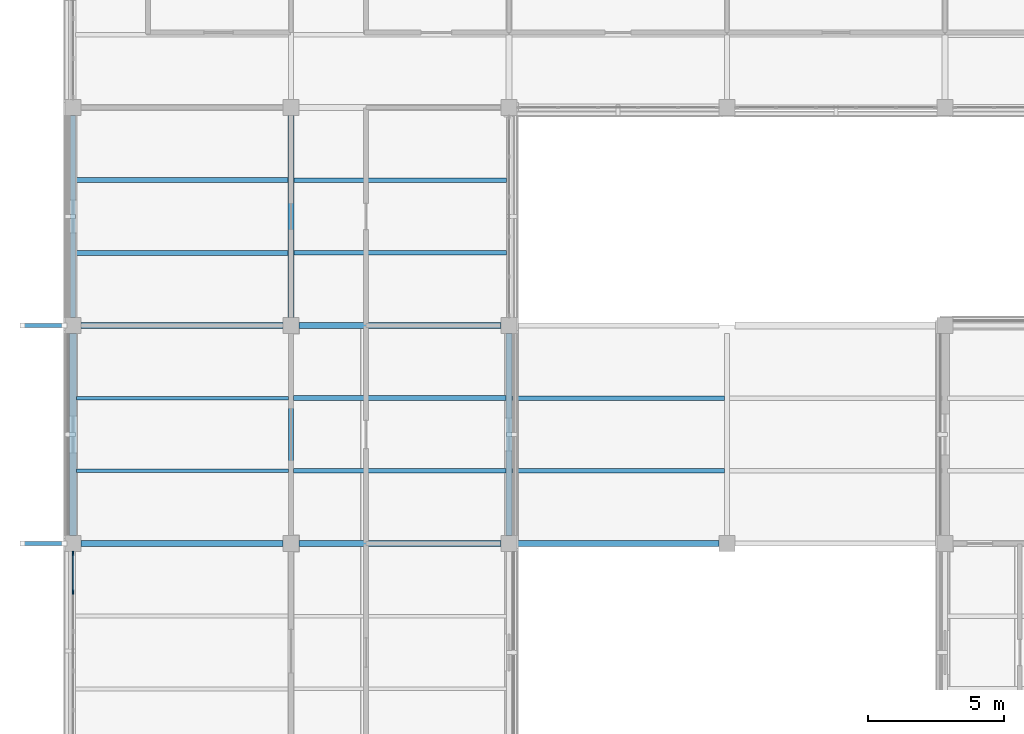
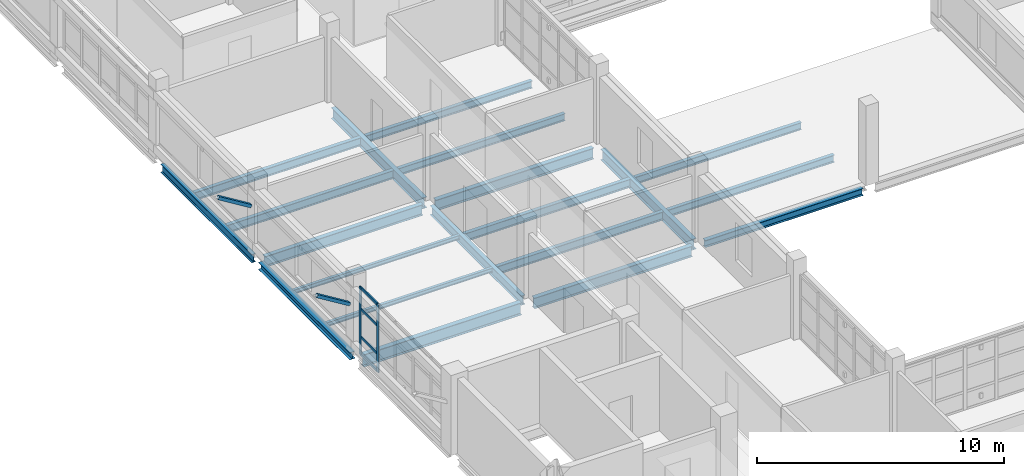
# One storey, part 12 of 126: 20 beams, 8 members, 1 element without a shape of its own.
"""IFC4 building model written with IfcOpenShell, lengths in metres."""

from ifc_helpers import new_model, si_unit, derived_unit, direction, frame, origin, origin_2d, place, context, subcontext, project, spatial, rectangle, hollow_rectangle, i_section, extrude, material, layer, layer_set, material_profile, profile_set, type_object, element, aggregate, save


model = new_model("IFC4")

# Units and contexts
model_context = context("Model", 3, precision=1e-05, world=origin(), true_north=direction((0.0, 1.0)))
body_context = subcontext(model_context, "Body", "Model", "MODEL_VIEW")
ifc_project = project(units=[si_unit("LENGTHUNIT", "METRE"), si_unit("AREAUNIT", "SQUARE_METRE"), si_unit("VOLUMEUNIT", "CUBIC_METRE"), si_unit("PLANEANGLEUNIT", "RADIAN"), si_unit("MASSUNIT", "GRAM", prefix="KILO"), derived_unit("THERMALTRANSMITTANCEUNIT", [(si_unit("MASSUNIT", "GRAM", prefix="KILO"), 1), (si_unit("TIMEUNIT", "SECOND"), -3), (si_unit("THERMODYNAMICTEMPERATUREUNIT", "KELVIN"), -1)])], contexts=[model_context])

# Site, building, storey
site_placement = place(None, origin())
site = spatial("IfcSite", under=ifc_project, at=site_placement, CompositionType="ELEMENT")
building_placement = place(site_placement, origin())
building = spatial("IfcBuilding", under=site, at=building_placement, Name="Veyamyaing Civic Hall", CompositionType="ELEMENT")
storey_placement = place(building_placement, frame((0.0, 0.0, 9.89990234375)))
storey = spatial("IfcBuildingStorey", under=building, at=storey_placement, Name="L02", CompositionType="ELEMENT", Elevation=9.89990234375)

# Beams
ifc_material_1 = material(Name="Steel ASTM A992", Category="steel")
ifc_material_profile_1 = material_profile(ifc_material_1, i_section(OverallWidth=0.22802734375, OverallDepth=0.60791015625, WebThickness=0.01123046875, FlangeThickness=0.017333984375, FilletRadius=0.012939453125, at=origin_2d()), Name="W610X113")
ifc_profile_set_1 = profile_set([ifc_material_profile_1], Name="Steel ASTM A992")
beam_type_1 = type_object("IfcBeamType", Name="B-06", PredefinedType="BEAM", material=ifc_profile_set_1)
beam_1_placement = place(storey_placement, frame((0.300048828125, 32.0, -0.5888671875), z_axis=(1.0, 0.0, 0.0), x_axis=(0.0, 1.0, 0.0)))
element("IfcBeam", 1, at=beam_1_placement, inside=storey, type_object=beam_type_1, Name="Girder B-06 L02 Grid E 1-2", PredefinedType="BEAM", context=body_context, shape_type="SweptSolid", body=[
    extrude(i_section(OverallWidth=0.22802734375, OverallDepth=0.60791015625, WebThickness=0.01123046875, FlangeThickness=0.017333984375, FilletRadius=0.012939453125, at=origin_2d()), origin(), (0.0, 0.0, 1.0), 7.39990234375),
])
ifc_material_profile_2 = material_profile(ifc_material_1, i_section(OverallWidth=0.208984375, OverallDepth=0.532958984375, WebThickness=0.01025390625, FlangeThickness=0.015625, FilletRadius=0.011962890625, at=origin_2d()), Name="W530X92")
ifc_profile_set_2 = profile_set([ifc_material_profile_2], Name="Steel ASTM A992")
beam_type_2 = type_object("IfcBeamType", Name="B-07", PredefinedType="BEAM", material=ifc_profile_set_2)
for number, where, z_axis, x_axis, name in (
    (2, (8.300048828125, 32.0, -0.551513671875), (1.0, 0.0, 0.0), (0.0, 1.0, 0.0), "Girder B-07 L02 Grid E 2-3"),
    (3, (0.300048828125, 40.0, -0.551513671875), (1.0, 0.0, 0.0), (0.0, 1.0, 0.0), "Girder B-07 L02 Grid F 1-2"),
):
    element("IfcBeam", number, at=place(storey_placement, frame(where, z_axis=z_axis, x_axis=x_axis)), inside=storey, type_object=beam_type_2, Name=name, PredefinedType="BEAM", context=body_context, shape_type="SweptSolid", body=[
        extrude(i_section(OverallWidth=0.208984375, OverallDepth=0.532958984375, WebThickness=0.01025390625, FlangeThickness=0.015625, FilletRadius=0.011962890625, at=origin_2d()), origin(), (0.0, 0.0, 1.0), 7.39990234375),
    ])
ifc_material_profile_3 = material_profile(ifc_material_1, i_section(OverallWidth=0.19189453125, OverallDepth=0.462890625, WebThickness=0.010498046875, FlangeThickness=0.017578125, FilletRadius=0.010009765625, at=origin_2d()), Name="W460X89")
ifc_profile_set_3 = profile_set([ifc_material_profile_3], Name="Steel ASTM A992")
beam_type_3 = type_object("IfcBeamType", Name="B-08", PredefinedType="BEAM", material=ifc_profile_set_3)
beam_2_placement = place(storey_placement, frame((8.0, 32.300048828125, -0.516357421875), z_axis=(0.0, 1.0, 0.0), x_axis=(-1.0, 0.0, 0.0)))
element("IfcBeam", 4, at=beam_2_placement, inside=storey, type_object=beam_type_3, Name="Girder B-08 L02 Grid 2 E-F", PredefinedType="BEAM", context=body_context, shape_type="SweptSolid", body=[
    extrude(i_section(OverallWidth=0.19189453125, OverallDepth=0.462890625, WebThickness=0.010498046875, FlangeThickness=0.017578125, FilletRadius=0.010009765625, at=origin_2d()), origin(), (0.0, 0.0, 1.0), 7.39990234375),
])
ifc_material_profile_4 = material_profile(ifc_material_1, i_section(OverallWidth=0.179931640625, OverallDepth=0.4130859375, WebThickness=0.009765625, FlangeThickness=0.01611328125, FilletRadius=0.010009765625, at=origin_2d()), Name="W410X74")
ifc_profile_set_4 = profile_set([ifc_material_profile_4], Name="Steel ASTM A992")
beam_type_4 = type_object("IfcBeamType", Name="B-10", PredefinedType="SPANDREL", material=ifc_profile_set_4)
beam_3_placement = place(storey_placement, frame((0.0, 40.300048828125, -0.491455078125), z_axis=(0.0, 1.0, 0.0), x_axis=(-1.0, 0.0, 0.0)))
element("IfcBeam", 5, at=beam_3_placement, inside=storey, type_object=beam_type_4, Name="Girder B-10 L02 Grid 1 F-G", PredefinedType="SPANDREL", context=body_context, shape_type="SweptSolid", body=[
    extrude(i_section(OverallWidth=0.179931640625, OverallDepth=0.4130859375, WebThickness=0.009765625, FlangeThickness=0.01611328125, FilletRadius=0.010009765625, at=origin_2d()), origin(), (0.0, 0.0, 1.0), 7.39990234375),
])
ifc_material_profile_5 = material_profile(ifc_material_1, i_section(OverallWidth=0.2041015625, OverallDepth=0.35009765625, WebThickness=0.0078125, FlangeThickness=0.01513671875, FilletRadius=0.010009765625, at=origin_2d()), Name="W360X72")
ifc_profile_set_5 = profile_set([ifc_material_profile_5], Name="Steel ASTM A992")
beam_type_5 = type_object("IfcBeamType", Name="B-11", PredefinedType="SPANDREL", material=ifc_profile_set_5)
beam_4_placement = place(storey_placement, frame((16.300048828125, 32.0, -0.414794921875), z_axis=(1.0, 0.0, 0.0), x_axis=(0.0, 1.0, 0.0)))
element("IfcBeam", 6, at=beam_4_placement, inside=storey, type_object=beam_type_5, Name="Girder B-11 L02 Grid E 3-4", PredefinedType="SPANDREL", context=body_context, shape_type="SweptSolid", body=[
    extrude(i_section(OverallWidth=0.2041015625, OverallDepth=0.35009765625, WebThickness=0.0078125, FlangeThickness=0.01513671875, FilletRadius=0.010009765625, at=origin_2d()), origin(), (0.0, 0.0, 1.0), 7.39990234375),
])
ifc_material_profile_6 = material_profile(ifc_material_1, i_section(OverallWidth=0.214111328125, OverallDepth=0.549072265625, WebThickness=0.0146484375, FlangeThickness=0.023681640625, FilletRadius=0.011962890625, at=origin_2d()), Name="W530X138")
ifc_profile_set_6 = profile_set([ifc_material_profile_6], Name="Steel ASTM A992")
beam_type_6 = type_object("IfcBeamType", Name="B-16", PredefinedType="BEAM", material=ifc_profile_set_6)
beam_5_placement = place(storey_placement, frame((8.300048828125, 40.0, -0.559326171875), z_axis=(1.0, 0.0, 0.0), x_axis=(0.0, 1.0, 0.0)))
element("IfcBeam", 7, at=beam_5_placement, inside=storey, type_object=beam_type_6, Name="Girder B-16 L02 Grid F 2-3", PredefinedType="BEAM", context=body_context, shape_type="SweptSolid", body=[
    extrude(i_section(OverallWidth=0.214111328125, OverallDepth=0.549072265625, WebThickness=0.0146484375, FlangeThickness=0.023681640625, FilletRadius=0.011962890625, at=origin_2d()), origin(), (0.0, 0.0, 1.0), 7.39990234375),
])
ifc_material_profile_7 = material_profile(ifc_material_1, i_section(OverallWidth=0.2109375, OverallDepth=0.5390625, WebThickness=0.01171875, FlangeThickness=0.018798828125, FilletRadius=0.011962890625, at=origin_2d()), Name="W530X109")
ifc_profile_set_7 = profile_set([ifc_material_profile_7], Name="Steel ASTM A992")
beam_type_7 = type_object("IfcBeamType", Name="B-17", PredefinedType="BEAM", material=ifc_profile_set_7)
for number, where, z_axis, x_axis, name in (
    (8, (8.0, 40.300048828125, -0.554443359375), (0.0, 1.0, 0.0), (-1.0, 0.0, 0.0), "Girder B-17 L02 Grid 2 F-G"),
    (9, (16.0, 32.300048828125, -0.554443359375), (0.0, 1.0, 0.0), (-1.0, 0.0, 0.0), "Girder B-17 L02 Grid 3 E-F"),
):
    element("IfcBeam", number, at=place(storey_placement, frame(where, z_axis=z_axis, x_axis=x_axis)), inside=storey, type_object=beam_type_7, Name=name, PredefinedType="BEAM", context=body_context, shape_type="SweptSolid", body=[
        extrude(i_section(OverallWidth=0.2109375, OverallDepth=0.5390625, WebThickness=0.01171875, FlangeThickness=0.018798828125, FilletRadius=0.011962890625, at=origin_2d()), origin(), (0.0, 0.0, 1.0), 7.39990234375),
    ])
ifc_material_profile_8 = material_profile(ifc_material_1, i_section(OverallWidth=0.25390625, OverallDepth=0.35302734375, WebThickness=0.009521484375, FlangeThickness=0.016357421875, FilletRadius=0.011962890625, at=origin_2d()), Name="W360X91")
ifc_profile_set_8 = profile_set([ifc_material_profile_8], Name="Steel ASTM A992")
beam_type_8 = type_object("IfcBeamType", Name="B-20", PredefinedType="SPANDREL", material=ifc_profile_set_8)
beam_6_placement = place(storey_placement, frame((0.0, 32.300048828125, -0.46142578125), z_axis=(0.0, 1.0, 0.0), x_axis=(-1.0, 0.0, 0.0)))
element("IfcBeam", 10, at=beam_6_placement, inside=storey, type_object=beam_type_8, Name="Girder B-20 L02 Grid 1 E-F", PredefinedType="SPANDREL", context=body_context, shape_type="SweptSolid", body=[
    extrude(i_section(OverallWidth=0.25390625, OverallDepth=0.35302734375, WebThickness=0.009521484375, FlangeThickness=0.016357421875, FilletRadius=0.011962890625, at=origin_2d()), origin(), (0.0, 0.0, 1.0), 7.39990234375),
])

# Curtain wall, members
ifc_material_2 = material(Name="Anodised aluminium 6063-T6", Category="aluminium")
ifc_layer = layer(ifc_material_2, 0.159912109375, Name="Anodised aluminium 6063-T6")
ifc_layer_set = layer_set([ifc_layer], Name="Anodised aluminium 6063-T6")
curtain_wall_type = type_object("IfcCurtainWallType", Name="CW-03", PredefinedType="NOTDEFINED", material=ifc_layer_set)
curtain_wall_placement = place(storey_placement, origin())
curtain_wall = element("IfcCurtainWall", 11, at=curtain_wall_placement, inside=storey, type_object=curtain_wall_type, Name="Unitized curtain wall CW-03 L02 W 1.4", PredefinedType="NOTDEFINED")
ifc_material_profile_9 = material_profile(ifc_material_2, rectangle(XDim=0.06494140625, YDim=0.159912109375, at=origin_2d()), Name="ALU-MUL-65X160")
ifc_profile_set_9 = profile_set([ifc_material_profile_9], Name="Anodised aluminium 6063-T6")
member_type_1 = type_object("IfcMemberType", Name="CWM-01", PredefinedType="MULLION", material=ifc_profile_set_9)
member_1_placement = place(storey_placement, frame((0.0, 30.221923828125, 0.0), z_axis=(0.0, 0.0, 1.0), x_axis=(-1.0, 0.0, 0.0)))
member_1 = element("IfcMember", 12, at=member_1_placement, type_object=member_type_1, Name="CW-03 mullion 5", PredefinedType="MULLION", context=body_context, shape_type="SweptSolid", body=[
    extrude(rectangle(XDim=0.06494140625, YDim=0.159912109375, at=origin_2d()), origin(), (0.0, 0.0, 1.0), 3.359130859375),
])
member_2_placement = place(storey_placement, frame((0.0, 31.637451171875, 0.0), z_axis=(0.0, 0.0, 1.0), x_axis=(-1.0, 0.0, 0.0)))
member_2 = element("IfcMember", 13, at=member_2_placement, type_object=member_type_1, Name="CW-03 mullion 6", PredefinedType="MULLION", context=body_context, shape_type="SweptSolid", body=[
    extrude(rectangle(XDim=0.06494140625, YDim=0.159912109375, at=origin_2d()), origin(), (0.0, 0.0, 1.0), 3.359130859375),
])
ifc_material_profile_10 = material_profile(ifc_material_2, rectangle(XDim=0.06494140625, YDim=0.1201171875, at=origin_2d()), Name="ALU-TRN-65X120")
ifc_profile_set_10 = profile_set([ifc_material_profile_10], Name="Anodised aluminium 6063-T6")
member_type_2 = type_object("IfcMemberType", Name="CWT-01", PredefinedType="USERDEFINED", material=ifc_profile_set_10)
member_3_placement = place(storey_placement, frame((0.0, 30.25439453125, 0.03271484375), z_axis=(0.0, 1.0, 0.0), x_axis=(-1.0, 0.0, 0.0)))
member_3 = element("IfcMember", 14, at=member_3_placement, type_object=member_type_2, Name="CW-03 transom 5.1", ObjectType="TRANSOM", PredefinedType="USERDEFINED", context=body_context, shape_type="SweptSolid", body=[
    extrude(rectangle(XDim=0.06494140625, YDim=0.1201171875, at=origin_2d()), origin(), (0.0, 0.0, 1.0), 1.3505859375),
])
member_4_placement = place(storey_placement, frame((0.0, 30.25439453125, 0.900146484375), z_axis=(0.0, 1.0, 0.0), x_axis=(-1.0, 0.0, 0.0)))
member_4 = element("IfcMember", 15, at=member_4_placement, type_object=member_type_2, Name="CW-03 transom 5.2", ObjectType="TRANSOM", PredefinedType="USERDEFINED", context=body_context, shape_type="SweptSolid", body=[
    extrude(rectangle(XDim=0.06494140625, YDim=0.1201171875, at=origin_2d()), origin(), (0.0, 0.0, 1.0), 1.3505859375),
])
member_5_placement = place(storey_placement, frame((0.0, 30.25439453125, 2.2841796875), z_axis=(0.0, 1.0, 0.0), x_axis=(-1.0, 0.0, 0.0)))
member_5 = element("IfcMember", 16, at=member_5_placement, type_object=member_type_2, Name="CW-03 transom 5.3", ObjectType="TRANSOM", PredefinedType="USERDEFINED", context=body_context, shape_type="SweptSolid", body=[
    extrude(rectangle(XDim=0.06494140625, YDim=0.1201171875, at=origin_2d()), origin(), (0.0, 0.0, 1.0), 1.3505859375),
])
member_6_placement = place(storey_placement, frame((0.0, 30.25439453125, 3.32666015625), z_axis=(0.0, 1.0, 0.0), x_axis=(-1.0, 0.0, 0.0)))
member_6 = element("IfcMember", 17, at=member_6_placement, type_object=member_type_2, Name="CW-03 transom 5.4", ObjectType="TRANSOM", PredefinedType="USERDEFINED", context=body_context, shape_type="SweptSolid", body=[
    extrude(rectangle(XDim=0.06494140625, YDim=0.1201171875, at=origin_2d()), origin(), (0.0, 0.0, 1.0), 1.3505859375),
])
aggregate(curtain_wall, [member_1, member_2, member_3, member_4, member_5, member_6])

# Beams
ifc_material_profile_11 = material_profile(ifc_material_1, i_section(OverallWidth=0.177978515625, OverallDepth=0.406982421875, WebThickness=0.0078125, FlangeThickness=0.0126953125, FilletRadius=0.010009765625, at=origin_2d()), Name="W410X60")
ifc_profile_set_11 = profile_set([ifc_material_profile_11], Name="Steel ASTM A992")
beam_type_9 = type_object("IfcBeamType", Name="J-01", PredefinedType="JOIST", material=ifc_profile_set_11)
for number, where, z_axis, x_axis, name in (
    (18, (0.087890625, 42.666748046875, -0.48828125), (1.0, 0.0, 0.0), (0.0, 1.0, 0.0), "Composite floor joist J-01 L02 1.6.1"),
    (19, (0.087890625, 45.333251953125, -0.48828125), (1.0, 0.0, 0.0), (0.0, 1.0, 0.0), "Composite floor joist J-01 L02 1.6.2"),
):
    element("IfcBeam", number, at=place(storey_placement, frame(where, z_axis=z_axis, x_axis=x_axis)), inside=storey, type_object=beam_type_9, Name=name, PredefinedType="JOIST", context=body_context, shape_type="SweptSolid", body=[
        extrude(i_section(OverallWidth=0.177978515625, OverallDepth=0.406982421875, WebThickness=0.0078125, FlangeThickness=0.0126953125, FilletRadius=0.010009765625, at=origin_2d()), origin(), (0.0, 0.0, 1.0), 7.80859375),
    ])
for number, where, z_axis, x_axis, name in (
    (20, (8.093994140625, 34.666748046875, -0.48828125), (1.0, 0.0, 0.0), (0.0, 1.0, 0.0), "Composite floor joist J-01 L02 2.5.1"),
    (21, (8.093994140625, 37.333251953125, -0.48828125), (1.0, 0.0, 0.0), (0.0, 1.0, 0.0), "Composite floor joist J-01 L02 2.5.2"),
):
    element("IfcBeam", number, at=place(storey_placement, frame(where, z_axis=z_axis, x_axis=x_axis)), inside=storey, type_object=beam_type_9, Name=name, PredefinedType="JOIST", context=body_context, shape_type="SweptSolid", body=[
        extrude(i_section(OverallWidth=0.177978515625, OverallDepth=0.406982421875, WebThickness=0.0078125, FlangeThickness=0.0126953125, FilletRadius=0.010009765625, at=origin_2d()), origin(), (0.0, 0.0, 1.0), 7.802490234375),
    ])
ifc_material_profile_12 = material_profile(ifc_material_1, i_section(OverallWidth=0.172119140625, OverallDepth=0.35791015625, WebThickness=0.0078125, FlangeThickness=0.01318359375, FilletRadius=0.010009765625, at=origin_2d()), Name="W360X57")
ifc_profile_set_12 = profile_set([ifc_material_profile_12], Name="Steel ASTM A992")
beam_type_10 = type_object("IfcBeamType", Name="J-02", PredefinedType="JOIST", material=ifc_profile_set_12)
for number, where, z_axis, x_axis, name in (
    (22, (8.103515625, 42.666748046875, -0.4638671875), (1.0, 0.0, 0.0), (0.0, 1.0, 0.0), "Composite floor joist J-02 L02 2.6.1"),
    (23, (8.103515625, 45.333251953125, -0.4638671875), (1.0, 0.0, 0.0), (0.0, 1.0, 0.0), "Composite floor joist J-02 L02 2.6.2"),
):
    element("IfcBeam", number, at=place(storey_placement, frame(where, z_axis=z_axis, x_axis=x_axis)), inside=storey, type_object=beam_type_10, Name=name, PredefinedType="JOIST", context=body_context, shape_type="SweptSolid", body=[
        extrude(i_section(OverallWidth=0.172119140625, OverallDepth=0.35791015625, WebThickness=0.0078125, FlangeThickness=0.01318359375, FilletRadius=0.010009765625, at=origin_2d()), origin(), (0.0, 0.0, 1.0), 7.80810546875),
    ])
for number, where, z_axis, x_axis, name in (
    (24, (16.103515625, 34.666748046875, -0.4638671875), (1.0, 0.0, 0.0), (0.0, 1.0, 0.0), "Composite floor joist J-02 L02 3.5.1"),
    (25, (16.103515625, 37.333251953125, -0.4638671875), (1.0, 0.0, 0.0), (0.0, 1.0, 0.0), "Composite floor joist J-02 L02 3.5.2"),
):
    element("IfcBeam", number, at=place(storey_placement, frame(where, z_axis=z_axis, x_axis=x_axis)), inside=storey, type_object=beam_type_10, Name=name, PredefinedType="JOIST", context=body_context, shape_type="SweptSolid", body=[
        extrude(i_section(OverallWidth=0.172119140625, OverallDepth=0.35791015625, WebThickness=0.0078125, FlangeThickness=0.01318359375, FilletRadius=0.010009765625, at=origin_2d()), origin(), (0.0, 0.0, 1.0), 7.801513671875),
    ])
ifc_material_profile_13 = material_profile(ifc_material_1, i_section(OverallWidth=0.133056640625, OverallDepth=0.20703125, WebThickness=0.005859375, FlangeThickness=0.00830078125, FilletRadius=0.010009765625, at=origin_2d()), Name="W200X27")
ifc_profile_set_13 = profile_set([ifc_material_profile_13], Name="Steel ASTM A992")
beam_type_11 = type_object("IfcBeamType", Name="J-08", PredefinedType="JOIST", material=ifc_profile_set_13)
for number, where, z_axis, x_axis, name in (
    (26, (0.125, 34.666748046875, -0.388427734375), (1.0, 0.0, 0.0), (0.0, 1.0, 0.0), "Composite floor joist J-08 L02 1.5.1"),
    (27, (0.125, 37.333251953125, -0.388427734375), (1.0, 0.0, 0.0), (0.0, 1.0, 0.0), "Composite floor joist J-08 L02 1.5.2"),
):
    element("IfcBeam", number, at=place(storey_placement, frame(where, z_axis=z_axis, x_axis=x_axis)), inside=storey, type_object=beam_type_11, Name=name, PredefinedType="JOIST", context=body_context, shape_type="SweptSolid", body=[
        extrude(i_section(OverallWidth=0.133056640625, OverallDepth=0.20703125, WebThickness=0.005859375, FlangeThickness=0.00830078125, FilletRadius=0.010009765625, at=origin_2d()), origin(), (0.0, 0.0, 1.0), 7.781005859375),
    ])

# Members
ifc_material_3 = material(Name="Steel S355J2", Category="steel")
ifc_material_profile_14 = material_profile(ifc_material_3, hollow_rectangle(XDim=0.152099609375, YDim=0.152099609375, WallThickness=0.009521484375, at=origin_2d()), Name="HSS152X152X9.5")
ifc_profile_set_14 = profile_set([ifc_material_profile_14], Name="Steel S355J2")
member_type_3 = type_object("IfcMemberType", Name="SR-01", PredefinedType="STRUT", material=ifc_profile_set_14)
for number, where, z_axis, x_axis, name in (
    (28, (-0.320068359375, 32.0, 2.41015625), (-0.852059527287, 0.0, 0.523444898685), (0.0, -1.0, 0.0), "Sacak diagonal steel eave strut SR-01 V2-W.4"),
    (29, (-0.320068359375, 40.0, 2.41015625), (-0.852059527287, 0.0, 0.523444898685), (0.0, -1.0, 0.0), "Sacak diagonal steel eave strut SR-01 V2-W.5"),
):
    element("IfcMember", number, at=place(storey_placement, frame(where, z_axis=z_axis, x_axis=x_axis)), inside=storey, type_object=member_type_3, Name=name, PredefinedType="STRUT", context=body_context, shape_type="SweptSolid", body=[
        extrude(hollow_rectangle(XDim=0.152099609375, YDim=0.152099609375, WallThickness=0.009521484375, at=origin_2d()), origin(), (0.0, 0.0, 1.0), 1.795654296875),
    ])

save(model, "model.ifc")
